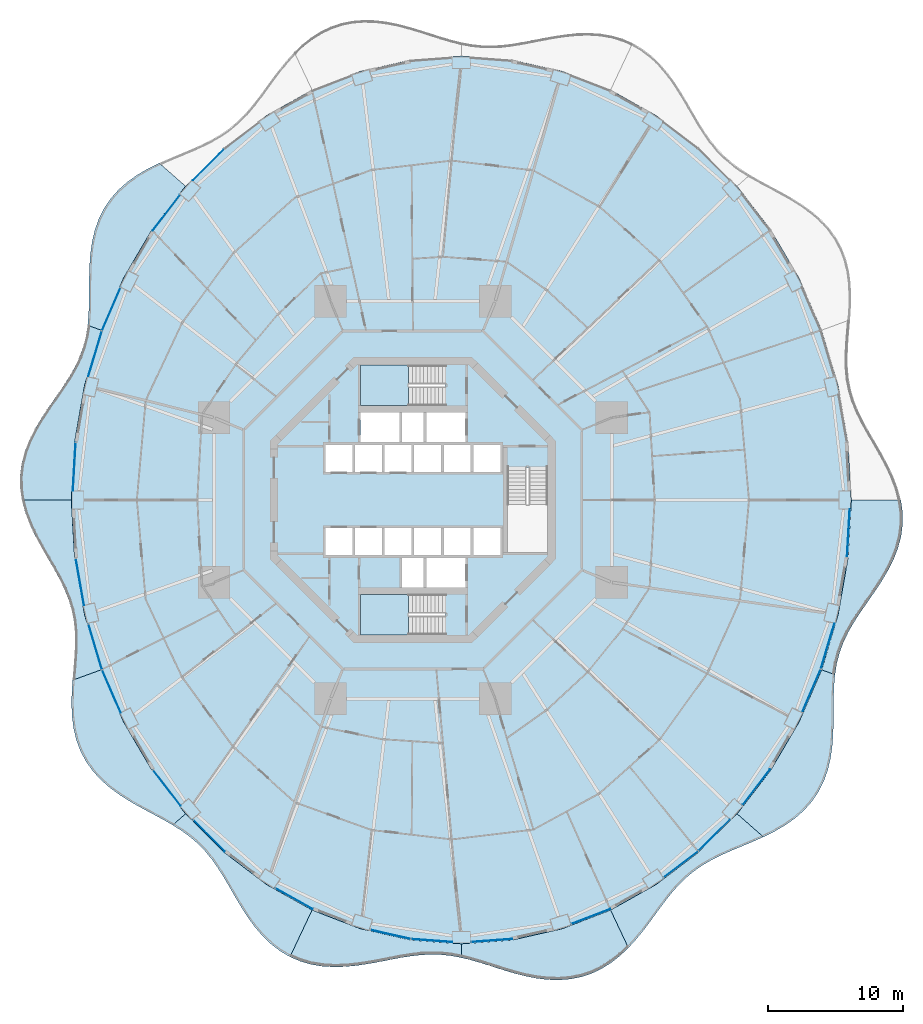
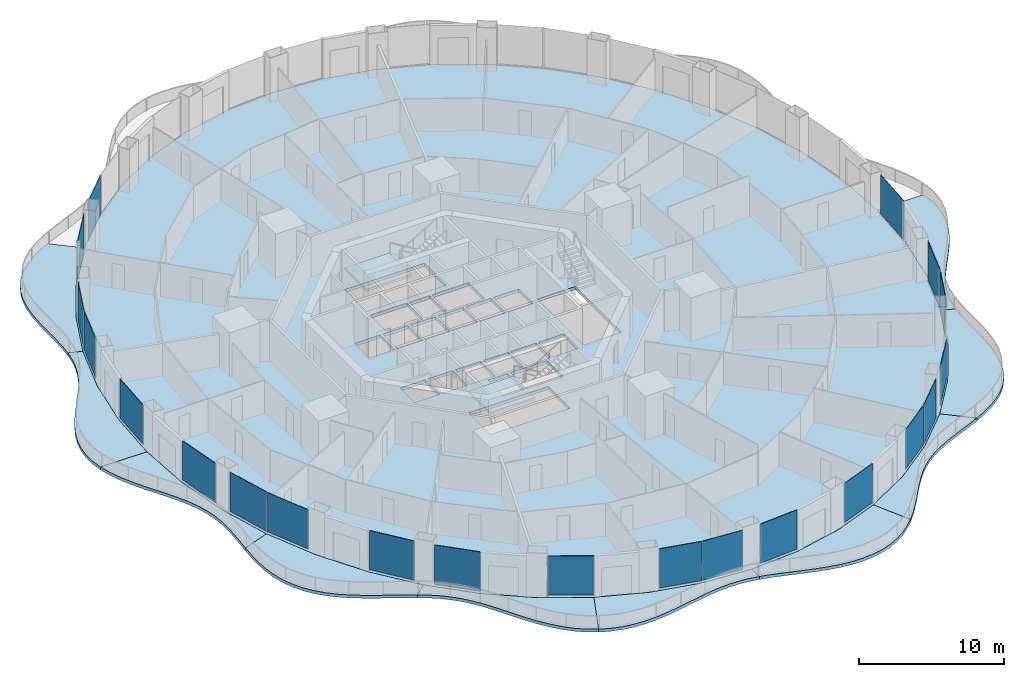
# One storey, part 12 of 22: 21 plates, 13 slabs, 23 elements without a shape of their own.
"""IFC4 building model written with IfcOpenShell, lengths in metres."""

from ifc_helpers import new_model, si_unit, direction, frame, origin, origin_2d, place, context, subcontext, project, spatial, polyline, rectangle, outline, extrude, material, layer, layer_set, type_object, element, aggregate, save


model = new_model("IFC4")

# Units and contexts
model_context = context("Model", 3, precision=1e-05, world=origin(), true_north=direction((0.0, 1.0)))
body_context = subcontext(model_context, "Body", "Model", "MODEL_VIEW")
ifc_project = project(units=[si_unit("LENGTHUNIT", "METRE"), si_unit("AREAUNIT", "SQUARE_METRE"), si_unit("VOLUMEUNIT", "CUBIC_METRE"), si_unit("PLANEANGLEUNIT", "RADIAN"), si_unit("MASSUNIT", "GRAM", prefix="KILO")], contexts=[model_context])

# Site, building, storey
site_placement = place(None, origin())
site = spatial("IfcSite", under=ifc_project, at=site_placement, CompositionType="ELEMENT")
building_placement = place(site_placement, origin())
building = spatial("IfcBuilding", under=site, at=building_placement, Name="Nagisa Residences", CompositionType="ELEMENT")
storey_placement = place(building_placement, frame((0.0, 0.0, 34.39990234375)))
storey = spatial("IfcBuildingStorey", under=building, at=storey_placement, Name="L07", CompositionType="ELEMENT", Elevation=34.39990234375)

# Slabs
ifc_material_1 = material(Name="Concrete C40/50", Category="concrete")
ifc_layer_1 = layer(ifc_material_1, 0.25)
ifc_layer_set_1 = layer_set([ifc_layer_1], Name="BALCONY SLAB 250")
slab_type_1 = type_object("IfcSlabType", Name="BALCONY SLAB 250", PredefinedType="FLOOR", material=ifc_layer_set_1)
slab_1_placement = place(storey_placement, frame((0.0, 0.0, -0.25)))
element("IfcSlab", 1, at=slab_1_placement, inside=storey, type_object=slab_type_1, Name="slab:L07:bal06", PredefinedType="FLOOR", context=body_context, shape_type="SweptSolid", body=[
    extrude(outline(polyline([(-18.858154296875, 25.050048828125), (-19.6845703125, 24.6396484375), (-20.4755859375, 24.1787109375), (-21.212646484375, 23.65771484375), (-21.879150390625, 23.070556640625), (-22.4619140625, 22.41552734375), (-22.951171875, 21.69482421875), (-23.34326171875, 20.913818359375), (-23.639404296875, 20.081787109375), (-23.845703125, 19.209716796875), (-23.974609375, 18.31005859375), (-24.041748046875, 17.39599609375), (-24.06689453125, 16.47998046875), (-24.071533203125, 15.5732421875), (-24.077880859375, 14.684814453125), (-24.107421875, 13.82177734375), (-24.178955078125, 12.987548828125), (-23.192626953125, 12.628662109375), (-21.5146484375, 16.5), (-19.4072265625, 20.089111328125), (-16.906005859375, 23.33447265625), (-18.858154296875, 25.050048828125)])), origin(), (0.0, 0.0, 1.0), 0.25),
])
slab_2_placement = place(storey_placement, frame((0.0, 0.0, -0.25)))
element("IfcSlab", 2, at=slab_2_placement, inside=storey, type_object=slab_type_1, Name="slab:L07:bal07", PredefinedType="FLOOR", context=body_context, shape_type="SweptSolid", body=[
    extrude(outline(polyline([(-24.178955078125, 12.987548828125), (-24.313232421875, 12.157958984375), (-24.520263671875, 11.35791015625), (-24.805419921875, 10.58251953125), (-25.167724609375, 9.824951171875), (-25.598876953125, 9.0771484375), (-26.08447265625, 8.33056640625), (-26.60546875, 7.5771484375), (-27.13818359375, 6.8095703125), (-27.656982421875, 6.022705078125), (-28.135986328125, 5.2138671875), (-28.550048828125, 4.3818359375), (-28.877685546875, 3.528564453125), (-29.101806640625, 2.657958984375), (-29.211181640625, 1.775146484375), (-29.201171875, 0.886962890625), (-29.074462890625, 0.0), (-25.39990234375, 0.0), (-25.15185546875, 4.307373046875), (-24.411865234375, 8.541015625), (-23.192626953125, 12.628662109375), (-24.178955078125, 12.987548828125)])), origin(), (0.0, 0.0, 1.0), 0.25),
])
slab_3_placement = place(storey_placement, frame((0.0, 0.0, -0.25)))
element("IfcSlab", 3, at=slab_3_placement, inside=storey, type_object=slab_type_1, Name="slab:L07:bal08", PredefinedType="FLOOR", context=body_context, shape_type="SweptSolid", body=[
    extrude(outline(polyline([(-29.074462890625, 0.0), (-28.83984375, -0.879150390625), (-28.51318359375, -1.745361328125), (-28.114990234375, -2.59423828125), (-27.6689453125, -3.424560546875), (-27.20166015625, -4.236328125), (-26.739501953125, -5.03271484375), (-26.306396484375, -5.81787109375), (-25.924072265625, -6.59814453125), (-25.6083984375, -7.381103515625), (-25.36962890625, -8.173828125), (-25.21142578125, -8.983154296875), (-25.13037109375, -9.81494140625), (-25.11669921875, -10.672607421875), (-25.154541015625, -11.556884765625), (-25.223388671875, -12.46630859375), (-25.300048828125, -13.395751953125), (-23.192626953125, -12.628662109375), (-24.411865234375, -8.541015625), (-25.15185546875, -4.307373046875), (-25.39990234375, 0.0), (-29.074462890625, 0.0)])), origin(), (0.0, 0.0, 1.0), 0.25),
])
slab_4_placement = place(storey_placement, frame((0.0, 0.0, -0.25)))
element("IfcSlab", 4, at=slab_4_placement, inside=storey, type_object=slab_type_1, Name="slab:L07:bal09", PredefinedType="FLOOR", context=body_context, shape_type="SweptSolid", body=[
    extrude(outline(polyline([(-25.300048828125, -13.395751953125), (-25.35791015625, -14.308349609375), (-25.376708984375, -15.2236328125), (-25.3359375, -16.130859375), (-25.218017578125, -17.0185546875), (-25.00927734375, -17.87548828125), (-24.701416015625, -18.691162109375), (-24.2919921875, -19.456787109375), (-23.78369140625, -20.166259765625), (-23.18505859375, -20.81640625), (-22.5087890625, -21.407470703125), (-21.771728515625, -21.944091796875), (-20.99267578125, -22.433349609375), (-20.192626953125, -22.886474609375), (-19.390869140625, -23.316650390625), (-18.6064453125, -23.73876953125), (-17.854736328125, -24.168212890625), (-16.906005859375, -23.33447265625), (-19.4072265625, -20.089111328125), (-21.5146484375, -16.5), (-23.192626953125, -12.628662109375), (-25.300048828125, -13.395751953125)])), origin(), (0.0, 0.0, 1.0), 0.25),
])
slab_5_placement = place(storey_placement, frame((0.0, 0.0, -0.25)))
element("IfcSlab", 5, at=slab_5_placement, inside=storey, type_object=slab_type_1, Name="slab:L07:bal10", PredefinedType="FLOOR", context=body_context, shape_type="SweptSolid", body=[
    extrude(outline(polyline([(-17.854736328125, -24.168212890625), (-17.179443359375, -24.59814453125), (-16.55078125, -25.06005859375), (-15.97119140625, -25.56298828125), (-15.43896484375, -26.113525390625), (-14.94873046875, -26.7138671875), (-14.49169921875, -27.36328125), (-14.056396484375, -28.05615234375), (-13.6298828125, -28.783447265625), (-13.198486328125, -29.532470703125), (-12.748779296875, -30.28759765625), (-12.26806640625, -31.031494140625), (-11.74609375, -31.745849609375), (-11.175048828125, -32.412353515625), (-10.550537109375, -33.013671875), (-9.870849609375, -33.535888671875), (-9.137939453125, -33.967529296875), (-7.497802734375, -30.488037109375), (-10.89990234375, -28.578857421875), (-14.05419921875, -26.1806640625), (-16.906005859375, -23.33447265625), (-17.854736328125, -24.168212890625)])), origin(), (0.0, 0.0, 1.0), 0.25),
])
slab_6_placement = place(storey_placement, frame((0.0, 0.0, -0.25)))
element("IfcSlab", 6, at=slab_6_placement, inside=storey, type_object=slab_type_1, Name="slab:L07:bal11", PredefinedType="FLOOR", context=body_context, shape_type="SweptSolid", body=[
    extrude(outline(polyline([(-9.137939453125, -33.967529296875), (-8.3857421875, -34.291259765625), (-7.595458984375, -34.522216796875), (-6.77490234375, -34.662353515625), (-5.93359375, -34.718017578125), (-5.080810546875, -34.69921875), (-4.225830078125, -34.61962890625), (-3.37646484375, -34.495361328125), (-2.53955078125, -34.343994140625), (-1.71923828125, -34.183837890625), (-0.91845703125, -34.033203125), (-0.136962890625, -33.907958984375), (0.627197265625, -33.82275390625), (1.37744140625, -33.787353515625), (2.118896484375, -33.808837890625), (2.85791015625, -33.88916015625), (3.60009765625, -34.025634765625), (3.60009765625, -33.0), (-0.185302734375, -32.7177734375), (-3.90576171875, -31.87548828125), (-7.497802734375, -30.488037109375), (-9.137939453125, -33.967529296875)])), origin(), (0.0, 0.0, 1.0), 0.25),
])
slab_7_placement = place(storey_placement, frame((0.0, 0.0, -0.25)))
element("IfcSlab", 7, at=slab_7_placement, inside=storey, type_object=slab_type_1, Name="slab:L07:bal12", PredefinedType="FLOOR", context=body_context, shape_type="SweptSolid", body=[
    extrude(outline(polyline([(3.60009765625, -34.025634765625), (4.351318359375, -34.21142578125), (5.1162109375, -34.435791015625), (5.8984375, -34.68408203125), (6.698974609375, -34.939697265625), (7.51708984375, -35.183837890625), (8.350341796875, -35.39794921875), (9.193359375, -35.563720703125), (10.0400390625, -35.66455078125), (10.882568359375, -35.686767578125), (11.712158203125, -35.619873046875), (12.520751953125, -35.457763671875), (13.2998046875, -35.1982421875), (14.043212890625, -34.84375), (14.74609375, -34.401123046875), (15.405517578125, -33.880859375), (16.021484375, -33.296142578125), (14.69775390625, -30.488037109375), (11.105712890625, -31.87548828125), (7.38525390625, -32.7177734375), (3.60009765625, -33.0), (3.60009765625, -34.025634765625)])), origin(), (0.0, 0.0, 1.0), 0.25),
])
slab_8_placement = place(storey_placement, frame((0.0, 0.0, -0.25)))
element("IfcSlab", 8, at=slab_8_placement, inside=storey, type_object=slab_type_1, Name="slab:L07:bal13", PredefinedType="FLOOR", context=body_context, shape_type="SweptSolid", body=[
    extrude(outline(polyline([(16.021484375, -33.296142578125), (16.617431640625, -32.638671875), (17.175537109375, -31.948486328125), (17.703857421875, -31.24462890625), (18.213134765625, -30.5458984375), (18.715087890625, -29.869140625), (19.222412109375, -29.22802734375), (19.7470703125, -28.6328125), (20.299560546875, -28.089599609375), (20.888671875, -27.599853515625), (21.52001953125, -27.160888671875), (22.19580078125, -26.766845703125), (22.914306640625, -26.4072265625), (23.67041015625, -26.070068359375), (24.454833984375, -25.741455078125), (25.255615234375, -25.40625), (26.058349609375, -25.050048828125), (24.106201171875, -23.33447265625), (21.254150390625, -26.1806640625), (18.10009765625, -28.578857421875), (14.69775390625, -30.488037109375), (16.021484375, -33.296142578125)])), origin(), (0.0, 0.0, 1.0), 0.25),
])
slab_9_placement = place(storey_placement, frame((0.0, 0.0, -0.25)))
element("IfcSlab", 9, at=slab_9_placement, inside=storey, type_object=slab_type_1, Name="slab:L07:bal14", PredefinedType="FLOOR", context=body_context, shape_type="SweptSolid", body=[
    extrude(outline(polyline([(26.058349609375, -25.050048828125), (26.884521484375, -24.6396484375), (27.675537109375, -24.1787109375), (28.41259765625, -23.65771484375), (29.0791015625, -23.070556640625), (29.661865234375, -22.41552734375), (30.151123046875, -21.69482421875), (30.543212890625, -20.913818359375), (30.83935546875, -20.081787109375), (31.0458984375, -19.209716796875), (31.174560546875, -18.31005859375), (31.24169921875, -17.39599609375), (31.266845703125, -16.47998046875), (31.271484375, -15.5732421875), (31.27783203125, -14.684814453125), (31.307373046875, -13.82177734375), (31.37890625, -12.987548828125), (30.392578125, -12.628662109375), (28.71484375, -16.5), (26.607177734375, -20.089111328125), (24.106201171875, -23.33447265625), (26.058349609375, -25.050048828125)])), origin(), (0.0, 0.0, 1.0), 0.25),
])
slab_10_placement = place(storey_placement, frame((0.0, 0.0, -0.25)))
element("IfcSlab", 10, at=slab_10_placement, inside=storey, type_object=slab_type_1, Name="slab:L07:bal15", PredefinedType="FLOOR", context=body_context, shape_type="SweptSolid", body=[
    extrude(outline(polyline([(31.37890625, -12.987548828125), (31.51318359375, -12.157958984375), (31.72021484375, -11.35791015625), (32.005615234375, -10.58251953125), (32.36767578125, -9.824951171875), (32.798828125, -9.0771484375), (33.284423828125, -8.33056640625), (33.805419921875, -7.5771484375), (34.338134765625, -6.8095703125), (34.857177734375, -6.022705078125), (35.3359375, -5.2138671875), (35.75, -4.3818359375), (36.077880859375, -3.528564453125), (36.3017578125, -2.657958984375), (36.4111328125, -1.775146484375), (36.4013671875, -0.886962890625), (36.2744140625, 0.0), (32.60009765625, 0.0), (32.351806640625, -4.307373046875), (31.61181640625, -8.541015625), (30.392578125, -12.628662109375), (31.37890625, -12.987548828125)])), origin(), (0.0, 0.0, 1.0), 0.25),
])

# Curtain wall, plate
ifc_material_2 = material(Name="Concrete-coloured aluminium curtain wall system", Category="concrete")
ifc_layer_2 = layer(ifc_material_2, 0.159912109375)
ifc_layer_set_2 = layer_set([ifc_layer_2], Name="CW1 CURTAIN WALL")
curtain_wall_type = type_object("IfcCurtainWallType", Name="CW1 CURTAIN WALL", PredefinedType="NOTDEFINED", material=ifc_layer_set_2)
curtain_wall_1_placement = place(storey_placement, origin())
curtain_wall_1 = element("IfcCurtainWall", 11, at=curtain_wall_1_placement, inside=storey, type_object=curtain_wall_type, Name="cw:CW1:L07:17", PredefinedType="NOTDEFINED")
ifc_material_3 = material(Name="Clear laminated glass", Category="glass")
ifc_layer_3 = layer(ifc_material_3, 0.028076171875)
ifc_layer_set_3 = layer_set([ifc_layer_3], Name="CW1 GLASS PANEL")
plate_type = type_object("IfcPlateType", Name="CW1 GLASS PANEL", PredefinedType="CURTAIN_PANEL", material=ifc_layer_set_3)
plate_1_placement = place(storey_placement, frame((-15.197021484375, 24.927001953125, 0.150146484375), z_axis=(0.0, 0.0, 1.0), x_axis=(-0.707835924016, -0.706376885714, 0.0)))
plate_1 = element("IfcPlate", 12, at=plate_1_placement, type_object=plate_type, Name="CW1 panel", PredefinedType="CURTAIN_PANEL", context=body_context, shape_type="SweptSolid", body=[
    extrude(rectangle(XDim=3.269287109375, YDim=0.028076171875, at=origin_2d()), origin(), (0.0, 0.0, 1.0), 3.2900390625),
])
aggregate(curtain_wall_1, [plate_1])

curtain_wall_2_placement = place(storey_placement, origin())
curtain_wall_2 = element("IfcCurtainWall", 13, at=curtain_wall_2_placement, inside=storey, type_object=curtain_wall_type, Name="cw:CW1:L07:18", PredefinedType="NOTDEFINED")
plate_2_placement = place(storey_placement, frame((-18.3251953125, 21.362060546875, 0.150146484375), z_axis=(0.0, 0.0, 1.0), x_axis=(-0.610429828235, -0.792070340816, 0.0)))
plate_2 = element("IfcPlate", 14, at=plate_2_placement, type_object=plate_type, Name="CW1 panel", PredefinedType="CURTAIN_PANEL", context=body_context, shape_type="SweptSolid", body=[
    extrude(rectangle(XDim=3.33740234375, YDim=0.028076171875, at=origin_2d()), origin(), (0.0, 0.0, 1.0), 3.2900390625),
])
aggregate(curtain_wall_2, [plate_2])

curtain_wall_3_placement = place(storey_placement, origin())
curtain_wall_3 = element("IfcCurtainWall", 15, at=curtain_wall_3_placement, inside=storey, type_object=curtain_wall_type, Name="cw:CW1:L07:20", PredefinedType="NOTDEFINED")
plate_3_placement = place(storey_placement, frame((-22.431396484375, 14.183837890625, 0.150146484375), z_axis=(0.0, 0.0, 1.0), x_axis=(-0.397635934147, -0.917543276295, 0.0)))
plate_3 = element("IfcPlate", 16, at=plate_3_placement, type_object=plate_type, Name="CW1 panel", PredefinedType="CURTAIN_PANEL", context=body_context, shape_type="SweptSolid", body=[
    extrude(rectangle(XDim=3.45947265625, YDim=0.028076171875, at=origin_2d()), origin(), (0.0, 0.0, 1.0), 3.2900390625),
])
aggregate(curtain_wall_3, [plate_3])

curtain_wall_4_placement = place(storey_placement, origin())
curtain_wall_4 = element("IfcCurtainWall", 17, at=curtain_wall_4_placement, inside=storey, type_object=curtain_wall_type, Name="cw:CW1:L07:21", PredefinedType="NOTDEFINED")
plate_4_placement = place(storey_placement, frame((-23.634033203125, 10.86865234375, 0.150146484375), z_axis=(0.0, 0.0, 1.0), x_axis=(-0.285860274038, -0.958271310082, 0.0)))
plate_4 = element("IfcPlate", 18, at=plate_4_placement, type_object=plate_type, Name="CW1 panel", PredefinedType="CURTAIN_PANEL", context=body_context, shape_type="SweptSolid", body=[
    extrude(rectangle(XDim=3.505615234375, YDim=0.028076171875, at=origin_2d()), origin(), (0.0, 0.0, 1.0), 3.2900390625),
])
aggregate(curtain_wall_4, [plate_4])

curtain_wall_5_placement = place(storey_placement, origin())
curtain_wall_5 = element("IfcCurtainWall", 19, at=curtain_wall_5_placement, inside=storey, type_object=curtain_wall_type, Name="cw:CW1:L07:23", PredefinedType="NOTDEFINED")
plate_5_placement = place(storey_placement, frame((-25.177734375, 2.468505859375, 0.150146484375), z_axis=(0.0, 0.0, 1.0), x_axis=(-0.057503492216, -0.998345305184, 0.0)))
plate_5 = element("IfcPlate", 20, at=plate_5_placement, type_object=plate_type, Name="CW1 panel", PredefinedType="CURTAIN_PANEL", context=body_context, shape_type="SweptSolid", body=[
    extrude(rectangle(XDim=3.554443359375, YDim=0.028076171875, at=origin_2d()), origin(), (0.0, 0.0, 1.0), 3.2900390625),
])
aggregate(curtain_wall_5, [plate_5])

curtain_wall_6_placement = place(storey_placement, origin())
curtain_wall_6 = element("IfcCurtainWall", 21, at=curtain_wall_6_placement, inside=storey, type_object=curtain_wall_type, Name="cw:CW1:L07:25", PredefinedType="NOTDEFINED")
plate_6_placement = place(storey_placement, frame((-24.758056640625, -6.09521484375, 0.150146484375), z_axis=(0.0, 0.0, 1.0), x_axis=(0.172190868898, -0.985063604377, 0.0)))
plate_6 = element("IfcPlate", 22, at=plate_6_placement, type_object=plate_type, Name="CW1 panel", PredefinedType="CURTAIN_PANEL", context=body_context, shape_type="SweptSolid", body=[
    extrude(rectangle(XDim=3.537841796875, YDim=0.028076171875, at=origin_2d()), origin(), (0.0, 0.0, 1.0), 3.2900390625),
])
aggregate(curtain_wall_6, [plate_6])

curtain_wall_7_placement = place(storey_placement, origin())
curtain_wall_7 = element("IfcCurtainWall", 23, at=curtain_wall_7_placement, inside=storey, type_object=curtain_wall_type, Name="cw:CW1:L07:26", PredefinedType="NOTDEFINED")
plate_7_placement = place(storey_placement, frame((-23.616943359375, -10.926025390625, 0.150146484375), z_axis=(0.0, 0.0, 1.0), x_axis=(0.285860274038, -0.958271310082, 0.0)))
plate_7 = element("IfcPlate", 24, at=plate_7_placement, type_object=plate_type, Name="CW1 panel", PredefinedType="CURTAIN_PANEL", context=body_context, shape_type="SweptSolid", body=[
    extrude(rectangle(XDim=3.505615234375, YDim=0.028076171875, at=origin_2d()), origin(), (0.0, 0.0, 1.0), 3.2900390625),
])
aggregate(curtain_wall_7, [plate_7])

curtain_wall_8_placement = place(storey_placement, origin())
curtain_wall_8 = element("IfcCurtainWall", 25, at=curtain_wall_8_placement, inside=storey, type_object=curtain_wall_type, Name="cw:CW1:L07:27", PredefinedType="NOTDEFINED")
plate_8_placement = place(storey_placement, frame((-22.407470703125, -14.23876953125, 0.150146484375), z_axis=(0.0, 0.0, 1.0), x_axis=(0.397635934147, -0.917543276295, 0.0)))
plate_8 = element("IfcPlate", 26, at=plate_8_placement, type_object=plate_type, Name="CW1 panel", PredefinedType="CURTAIN_PANEL", context=body_context, shape_type="SweptSolid", body=[
    extrude(rectangle(XDim=3.45947265625, YDim=0.028076171875, at=origin_2d()), origin(), (0.0, 0.0, 1.0), 3.2900390625),
])
aggregate(curtain_wall_8, [plate_8])

curtain_wall_9_placement = place(storey_placement, origin())
curtain_wall_9 = element("IfcCurtainWall", 27, at=curtain_wall_9_placement, inside=storey, type_object=curtain_wall_type, Name="cw:CW1:L07:29", PredefinedType="NOTDEFINED")
plate_9_placement = place(storey_placement, frame((-18.28857421875, -21.409423828125, 0.150146484375), z_axis=(0.0, 0.0, 1.0), x_axis=(0.610429828235, -0.792070340816, 0.0)))
plate_9 = element("IfcPlate", 28, at=plate_9_placement, type_object=plate_type, Name="CW1 panel", PredefinedType="CURTAIN_PANEL", context=body_context, shape_type="SweptSolid", body=[
    extrude(rectangle(XDim=3.33740234375, YDim=0.028076171875, at=origin_2d()), origin(), (0.0, 0.0, 1.0), 3.2900390625),
])
aggregate(curtain_wall_9, [plate_9])

curtain_wall_10_placement = place(storey_placement, origin())
curtain_wall_10 = element("IfcCurtainWall", 29, at=curtain_wall_10_placement, inside=storey, type_object=curtain_wall_type, Name="cw:CW1:L07:30", PredefinedType="NOTDEFINED")
plate_10_placement = place(storey_placement, frame((-15.154541015625, -24.969482421875, 0.150146484375), z_axis=(0.0, 0.0, 1.0), x_axis=(0.707835924016, -0.706376885714, 0.0)))
plate_10 = element("IfcPlate", 30, at=plate_10_placement, type_object=plate_type, Name="CW1 panel", PredefinedType="CURTAIN_PANEL", context=body_context, shape_type="SweptSolid", body=[
    extrude(rectangle(XDim=3.269287109375, YDim=0.028076171875, at=origin_2d()), origin(), (0.0, 0.0, 1.0), 3.2900390625),
])
aggregate(curtain_wall_10, [plate_10])

curtain_wall_11_placement = place(storey_placement, origin())
curtain_wall_11 = element("IfcCurtainWall", 31, at=curtain_wall_11_placement, inside=storey, type_object=curtain_wall_type, Name="cw:CW1:L07:32", PredefinedType="NOTDEFINED")
plate_11_placement = place(storey_placement, frame((-8.828369140625, -29.649658203125, 0.150146484375), z_axis=(0.0, 0.0, 1.0), x_axis=(0.872072377523, -0.489376918501, 0.0)))
plate_11 = element("IfcPlate", 32, at=plate_11_placement, type_object=plate_type, Name="CW1 panel", PredefinedType="CURTAIN_PANEL", context=body_context, shape_type="SweptSolid", body=[
    extrude(rectangle(XDim=3.141357421875, YDim=0.028076171875, at=origin_2d()), origin(), (0.0, 0.0, 1.0), 3.2900390625),
])
aggregate(curtain_wall_11, [plate_11])

curtain_wall_12_placement = place(storey_placement, origin())
curtain_wall_12 = element("IfcCurtainWall", 33, at=curtain_wall_12_placement, inside=storey, type_object=curtain_wall_type, Name="cw:CW1:L07:34", PredefinedType="NOTDEFINED")
plate_12_placement = place(storey_placement, frame((-1.6572265625, -32.302490234375, 0.150146484375), z_axis=(0.0, 0.0, 1.0), x_axis=(0.975327274089, -0.2207639201, 0.0)))
plate_12 = element("IfcPlate", 34, at=plate_12_placement, type_object=plate_type, Name="CW1 panel", PredefinedType="CURTAIN_PANEL", context=body_context, shape_type="SweptSolid", body=[
    extrude(rectangle(XDim=3.0546875, YDim=0.028076171875, at=origin_2d()), origin(), (0.0, 0.0, 1.0), 3.2900390625),
])
aggregate(curtain_wall_12, [plate_12])

curtain_wall_13_placement = place(storey_placement, origin())
curtain_wall_13 = element("IfcCurtainWall", 35, at=curtain_wall_13_placement, inside=storey, type_object=curtain_wall_type, Name="cw:CW1:L07:35", PredefinedType="NOTDEFINED")
plate_13_placement = place(storey_placement, frame((1.394287109375, -32.75537109375, 0.150146484375), z_axis=(0.0, 0.0, 1.0), x_axis=(0.997230168512, -0.074377355493, 0.0)))
plate_13 = element("IfcPlate", 36, at=plate_13_placement, type_object=plate_type, Name="CW1 panel", PredefinedType="CURTAIN_PANEL", context=body_context, shape_type="SweptSolid", body=[
    extrude(rectangle(XDim=3.035888671875, YDim=0.028076171875, at=origin_2d()), origin(), (0.0, 0.0, 1.0), 3.2900390625),
])
aggregate(curtain_wall_13, [plate_13])

curtain_wall_14_placement = place(storey_placement, origin())
curtain_wall_14 = element("IfcCurtainWall", 37, at=curtain_wall_14_placement, inside=storey, type_object=curtain_wall_type, Name="cw:CW1:L07:36", PredefinedType="NOTDEFINED")
plate_14_placement = place(storey_placement, frame((5.86572265625, -32.750732421875, 0.150146484375), z_axis=(0.0, 0.0, 1.0), x_axis=(0.997230168512, 0.074377355493, 0.0)))
plate_14 = element("IfcPlate", 38, at=plate_14_placement, type_object=plate_type, Name="CW1 panel", PredefinedType="CURTAIN_PANEL", context=body_context, shape_type="SweptSolid", body=[
    extrude(rectangle(XDim=3.035888671875, YDim=0.028076171875, at=origin_2d()), origin(), (0.0, 0.0, 1.0), 3.2900390625),
])
aggregate(curtain_wall_14, [plate_14])

curtain_wall_15_placement = place(storey_placement, origin())
curtain_wall_15 = element("IfcCurtainWall", 39, at=curtain_wall_15_placement, inside=storey, type_object=curtain_wall_type, Name="cw:CW1:L07:38", PredefinedType="NOTDEFINED")
plate_15_placement = place(storey_placement, frame((13.2275390625, -30.97021484375, 0.150146484375), z_axis=(0.0, 0.0, 1.0), x_axis=(0.932825759707, 0.360327770268, 0.0)))
plate_15 = element("IfcPlate", 40, at=plate_15_placement, type_object=plate_type, Name="CW1 panel", PredefinedType="CURTAIN_PANEL", context=body_context, shape_type="SweptSolid", body=[
    extrude(rectangle(XDim=3.0908203125, YDim=0.028076171875, at=origin_2d()), origin(), (0.0, 0.0, 1.0), 3.2900390625),
])
aggregate(curtain_wall_15, [plate_15])

curtain_wall_16_placement = place(storey_placement, origin())
curtain_wall_16 = element("IfcCurtainWall", 41, at=curtain_wall_16_placement, inside=storey, type_object=curtain_wall_type, Name="cw:CW1:L07:40", PredefinedType="NOTDEFINED")
plate_16_placement = place(storey_placement, frame((19.93115234375, -27.086181640625, 0.150146484375), z_axis=(0.0, 0.0, 1.0), x_axis=(0.79603132756, 0.605255421737, 0.0)))
plate_16 = element("IfcPlate", 42, at=plate_16_placement, type_object=plate_type, Name="CW1 panel", PredefinedType="CURTAIN_PANEL", context=body_context, shape_type="SweptSolid", body=[
    extrude(rectangle(XDim=3.2021484375, YDim=0.028076171875, at=origin_2d()), origin(), (0.0, 0.0, 1.0), 3.2900390625),
])
aggregate(curtain_wall_16, [plate_16])

curtain_wall_17_placement = place(storey_placement, origin())
curtain_wall_17 = element("IfcCurtainWall", 43, at=curtain_wall_17_placement, inside=storey, type_object=curtain_wall_type, Name="cw:CW1:L07:41", PredefinedType="NOTDEFINED")
plate_17_placement = place(storey_placement, frame((22.39697265625, -24.927001953125, 0.150146484375), z_axis=(0.0, 0.0, 1.0), x_axis=(0.707835924016, 0.706376885714, 0.0)))
plate_17 = element("IfcPlate", 44, at=plate_17_placement, type_object=plate_type, Name="CW1 panel", PredefinedType="CURTAIN_PANEL", context=body_context, shape_type="SweptSolid", body=[
    extrude(rectangle(XDim=3.269287109375, YDim=0.028076171875, at=origin_2d()), origin(), (0.0, 0.0, 1.0), 3.2900390625),
])
aggregate(curtain_wall_17, [plate_17])

curtain_wall_18_placement = place(storey_placement, origin())
curtain_wall_18 = element("IfcCurtainWall", 45, at=curtain_wall_18_placement, inside=storey, type_object=curtain_wall_type, Name="cw:CW1:L07:42", PredefinedType="NOTDEFINED")
plate_18_placement = place(storey_placement, frame((25.525390625, -21.362060546875, 0.150146484375), z_axis=(0.0, 0.0, 1.0), x_axis=(0.610429828235, 0.792070340816, 0.0)))
plate_18 = element("IfcPlate", 46, at=plate_18_placement, type_object=plate_type, Name="CW1 panel", PredefinedType="CURTAIN_PANEL", context=body_context, shape_type="SweptSolid", body=[
    extrude(rectangle(XDim=3.33740234375, YDim=0.028076171875, at=origin_2d()), origin(), (0.0, 0.0, 1.0), 3.2900390625),
])
aggregate(curtain_wall_18, [plate_18])

curtain_wall_19_placement = place(storey_placement, origin())
curtain_wall_19 = element("IfcCurtainWall", 47, at=curtain_wall_19_placement, inside=storey, type_object=curtain_wall_type, Name="cw:CW1:L07:44", PredefinedType="NOTDEFINED")
plate_19_placement = place(storey_placement, frame((29.63134765625, -14.183837890625, 0.150146484375), z_axis=(0.0, 0.0, 1.0), x_axis=(0.397635934147, 0.917543276295, 0.0)))
plate_19 = element("IfcPlate", 48, at=plate_19_placement, type_object=plate_type, Name="CW1 panel", PredefinedType="CURTAIN_PANEL", context=body_context, shape_type="SweptSolid", body=[
    extrude(rectangle(XDim=3.45947265625, YDim=0.028076171875, at=origin_2d()), origin(), (0.0, 0.0, 1.0), 3.2900390625),
])
aggregate(curtain_wall_19, [plate_19])

curtain_wall_20_placement = place(storey_placement, origin())
curtain_wall_20 = element("IfcCurtainWall", 49, at=curtain_wall_20_placement, inside=storey, type_object=curtain_wall_type, Name="cw:CW1:L07:45", PredefinedType="NOTDEFINED")
plate_20_placement = place(storey_placement, frame((30.833984375, -10.86865234375, 0.150146484375), z_axis=(0.0, 0.0, 1.0), x_axis=(0.285860274038, 0.958271310082, 0.0)))
plate_20 = element("IfcPlate", 50, at=plate_20_placement, type_object=plate_type, Name="CW1 panel", PredefinedType="CURTAIN_PANEL", context=body_context, shape_type="SweptSolid", body=[
    extrude(rectangle(XDim=3.505615234375, YDim=0.028076171875, at=origin_2d()), origin(), (0.0, 0.0, 1.0), 3.2900390625),
])
aggregate(curtain_wall_20, [plate_20])

curtain_wall_21_placement = place(storey_placement, origin())
curtain_wall_21 = element("IfcCurtainWall", 51, at=curtain_wall_21_placement, inside=storey, type_object=curtain_wall_type, Name="cw:CW1:L07:47", PredefinedType="NOTDEFINED")
plate_21_placement = place(storey_placement, frame((32.377685546875, -2.468505859375, 0.150146484375), z_axis=(0.0, 0.0, 1.0), x_axis=(0.057503492216, 0.998345305184, 0.0)))
plate_21 = element("IfcPlate", 52, at=plate_21_placement, type_object=plate_type, Name="CW1 panel", PredefinedType="CURTAIN_PANEL", context=body_context, shape_type="SweptSolid", body=[
    extrude(rectangle(XDim=3.554443359375, YDim=0.028076171875, at=origin_2d()), origin(), (0.0, 0.0, 1.0), 3.2900390625),
])
aggregate(curtain_wall_21, [plate_21])

# Slab
ifc_material_4 = material(Name="Concrete C40", Category="concrete")
ifc_layer_4 = layer(ifc_material_4, 0.260009765625)
ifc_layer_set_4 = layer_set([ifc_layer_4], Name="Floor slab 260")
slab_type_2 = type_object("IfcSlabType", Name="Floor slab 260", PredefinedType="FLOOR", material=ifc_layer_set_4)
slab_11_placement = place(storey_placement, frame((0.0, 0.0, -0.260009765625)))
element("IfcSlab", 53, at=slab_11_placement, inside=storey, type_object=slab_type_2, Name="slab:L07:floor", PredefinedType="FLOOR", context=body_context, shape_type="SweptSolid", body=[
    extrude(outline(polyline([(32.60009765625, 0.0), (32.351806640625, 4.307373046875), (31.61181640625, 8.541015625), (30.392578125, 12.628662109375), (28.71484375, 16.5), (26.607177734375, 20.089111328125), (24.106201171875, 23.33447265625), (21.254150390625, 26.1806640625), (18.10009765625, 28.578857421875), (14.69775390625, 30.488037109375), (11.105712890625, 31.87548828125), (7.38525390625, 32.7177734375), (3.60009765625, 33.0), (-0.185302734375, 32.7177734375), (-3.90576171875, 31.87548828125), (-7.497802734375, 30.488037109375), (-10.89990234375, 28.578857421875), (-14.05419921875, 26.1806640625), (-16.906005859375, 23.33447265625), (-19.4072265625, 20.089111328125), (-21.5146484375, 16.5), (-23.192626953125, 12.628662109375), (-24.411865234375, 8.541015625), (-25.15185546875, 4.307373046875), (-25.39990234375, 0.0), (-25.15185546875, -4.307373046875), (-24.411865234375, -8.541015625), (-23.192626953125, -12.628662109375), (-21.5146484375, -16.5), (-19.4072265625, -20.089111328125), (-16.906005859375, -23.33447265625), (-14.05419921875, -26.1806640625), (-10.89990234375, -28.578857421875), (-7.497802734375, -30.488037109375), (-3.90576171875, -31.87548828125), (-0.185302734375, -32.7177734375), (3.60009765625, -33.0), (7.38525390625, -32.7177734375), (11.105712890625, -31.87548828125), (14.69775390625, -30.488037109375), (18.10009765625, -28.578857421875), (21.254150390625, -26.1806640625), (24.106201171875, -23.33447265625), (26.607177734375, -20.089111328125), (28.71484375, -16.5), (30.392578125, -12.628662109375), (31.61181640625, -8.541015625), (32.351806640625, -4.307373046875), (32.60009765625, 0.0)]), holes=[polyline([(-4.5, 2.10009765625), (-4.5, 4.10009765625), (-6.5, 4.10009765625), (-6.5, 2.10009765625), (-4.5, 2.10009765625)]), polyline([(-2.300048828125, 2.10009765625), (-2.300048828125, 4.10009765625), (-4.300048828125, 4.10009765625), (-4.300048828125, 2.10009765625), (-2.300048828125, 2.10009765625)]), polyline([(-0.10009765625, 2.10009765625), (-0.10009765625, 4.10009765625), (-2.10009765625, 4.10009765625), (-2.10009765625, 2.10009765625), (-0.10009765625, 2.10009765625)]), polyline([(2.10009765625, 2.10009765625), (2.10009765625, 4.10009765625), (0.10009765625, 4.10009765625), (0.10009765625, 2.10009765625), (2.10009765625, 2.10009765625)]), polyline([(4.300048828125, 2.10009765625), (4.300048828125, 4.10009765625), (2.300048828125, 4.10009765625), (2.300048828125, 2.10009765625), (4.300048828125, 2.10009765625)]), polyline([(6.5, 2.10009765625), (6.5, 4.10009765625), (4.5, 4.10009765625), (4.5, 2.10009765625), (6.5, 2.10009765625)]), polyline([(-4.5, -4.10009765625), (-4.5, -2.10009765625), (-6.5, -2.10009765625), (-6.5, -4.10009765625), (-4.5, -4.10009765625)]), polyline([(-2.300048828125, -4.10009765625), (-2.300048828125, -2.10009765625), (-4.300048828125, -2.10009765625), (-4.300048828125, -4.10009765625), (-2.300048828125, -4.10009765625)]), polyline([(-0.10009765625, -4.10009765625), (-0.10009765625, -2.10009765625), (-2.10009765625, -2.10009765625), (-2.10009765625, -4.10009765625), (-0.10009765625, -4.10009765625)]), polyline([(2.10009765625, -4.10009765625), (2.10009765625, -2.10009765625), (0.10009765625, -2.10009765625), (0.10009765625, -4.10009765625), (2.10009765625, -4.10009765625)]), polyline([(4.300048828125, -4.10009765625), (4.300048828125, -2.10009765625), (2.300048828125, -2.10009765625), (2.300048828125, -4.10009765625), (4.300048828125, -4.10009765625)]), polyline([(6.5, -4.10009765625), (6.5, -2.10009765625), (4.5, -2.10009765625), (4.5, -4.10009765625), (6.5, -4.10009765625)]), polyline([(3.89990234375, 4.300048828125), (3.89990234375, 6.5), (1.0, 6.5), (1.0, 4.300048828125), (3.89990234375, 4.300048828125)]), polyline([(3.89990234375, -6.5), (3.89990234375, -4.300048828125), (1.0, -4.300048828125), (1.0, -6.5), (3.89990234375, -6.5)]), polyline([(-1.0, 4.300048828125), (-1.0, 6.5), (-3.89990234375, 6.5), (-3.89990234375, 4.300048828125), (-1.0, 4.300048828125)]), polyline([(0.800048828125, 4.300048828125), (0.800048828125, 6.5), (-0.800048828125, 6.5), (-0.800048828125, 4.300048828125), (0.800048828125, 4.300048828125)]), polyline([(0.800048828125, -6.5), (0.800048828125, -4.300048828125), (-0.800048828125, -4.300048828125), (-0.800048828125, -6.5), (0.800048828125, -6.5)]), polyline([(10.024658203125, -3.89990234375), (7.024658203125, -3.89990234375), (7.024658203125, 2.425048828125), (10.024658203125, 2.425048828125), (10.024658203125, -3.89990234375)]), polyline([(-3.89990234375, 7.024658203125), (-3.89990234375, 10.024658203125), (2.425048828125, 10.024658203125), (2.425048828125, 7.024658203125), (-3.89990234375, 7.024658203125)]), polyline([(-3.89990234375, -10.024658203125), (-3.89990234375, -7.024658203125), (2.425048828125, -7.024658203125), (2.425048828125, -10.024658203125), (-3.89990234375, -10.024658203125)])]), origin(), (0.0, 0.0, 1.0), 0.260009765625),
])

# Stair, slab
ifc_material_5 = material(Name="Concrete C60", Category="concrete")
stair_type = type_object("IfcStairType", Name="Exit stair", PredefinedType="HALF_TURN_STAIR", material=ifc_material_5)
stair_1_placement = place(storey_placement, origin())
stair_1 = element("IfcStair", 54, at=stair_1_placement, inside=storey, type_object=stair_type, Name="L07 Exit stair N", PredefinedType="HALF_TURN_STAIR")
ifc_material_6 = material(Name="Concrete C60", Category="concrete")
ifc_layer_5 = layer(ifc_material_6, 0.199951171875)
ifc_layer_set_5 = layer_set([ifc_layer_5], Name="Stair landing")
slab_type_3 = type_object("IfcSlabType", Name="Stair landing", PredefinedType="LANDING", material=ifc_layer_set_5)
slab_12_placement = place(storey_placement, frame((0.0, 0.0, 1.650146484375)))
slab_12 = element("IfcSlab", 55, at=slab_12_placement, type_object=slab_type_3, Name="ST-N landing 1", PredefinedType="LANDING", context=body_context, shape_type="SweptSolid", body=[
    extrude(outline(polyline([(-0.324951171875, 10.024658203125), (-3.89990234375, 10.024658203125), (-3.89990234375, 7.024658203125), (-0.324951171875, 7.024658203125), (-0.324951171875, 10.024658203125)])), origin(), (0.0, 0.0, 1.0), 0.199951171875),
])
aggregate(stair_1, [slab_12])

stair_2_placement = place(storey_placement, origin())
stair_2 = element("IfcStair", 56, at=stair_2_placement, inside=storey, type_object=stair_type, Name="L07 Exit stair S", PredefinedType="HALF_TURN_STAIR")
slab_13_placement = place(storey_placement, frame((0.0, 0.0, 1.650146484375)))
slab_13 = element("IfcSlab", 57, at=slab_13_placement, type_object=slab_type_3, Name="ST-S landing 1", PredefinedType="LANDING", context=body_context, shape_type="SweptSolid", body=[
    extrude(outline(polyline([(-0.324951171875, -7.024658203125), (-3.89990234375, -7.024658203125), (-3.89990234375, -10.024658203125), (-0.324951171875, -10.024658203125), (-0.324951171875, -7.024658203125)])), origin(), (0.0, 0.0, 1.0), 0.199951171875),
])
aggregate(stair_2, [slab_13])

save(model, "model.ifc")
